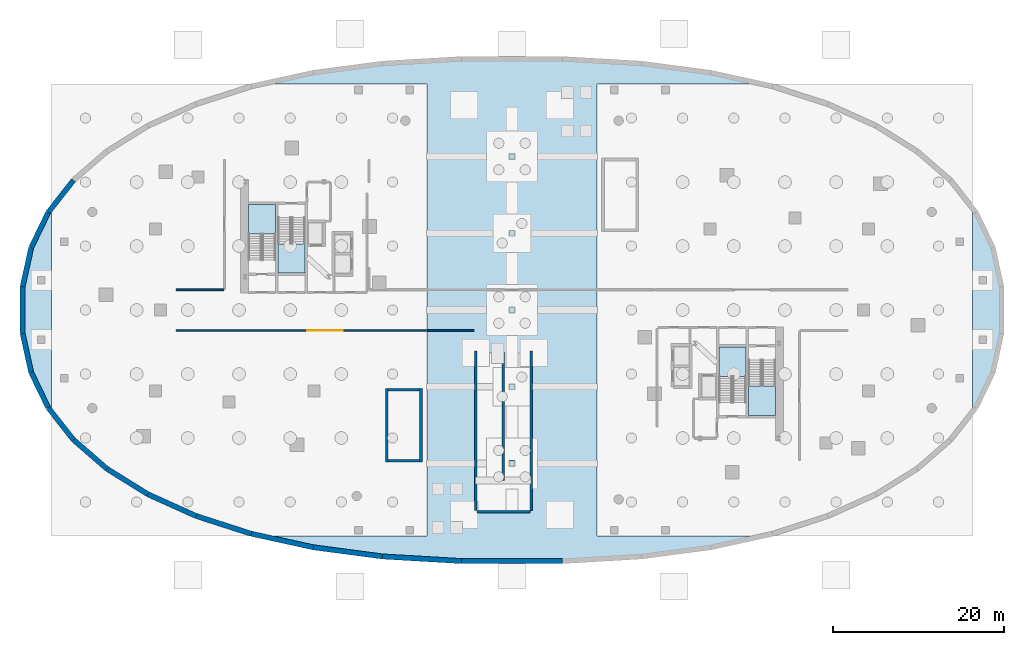
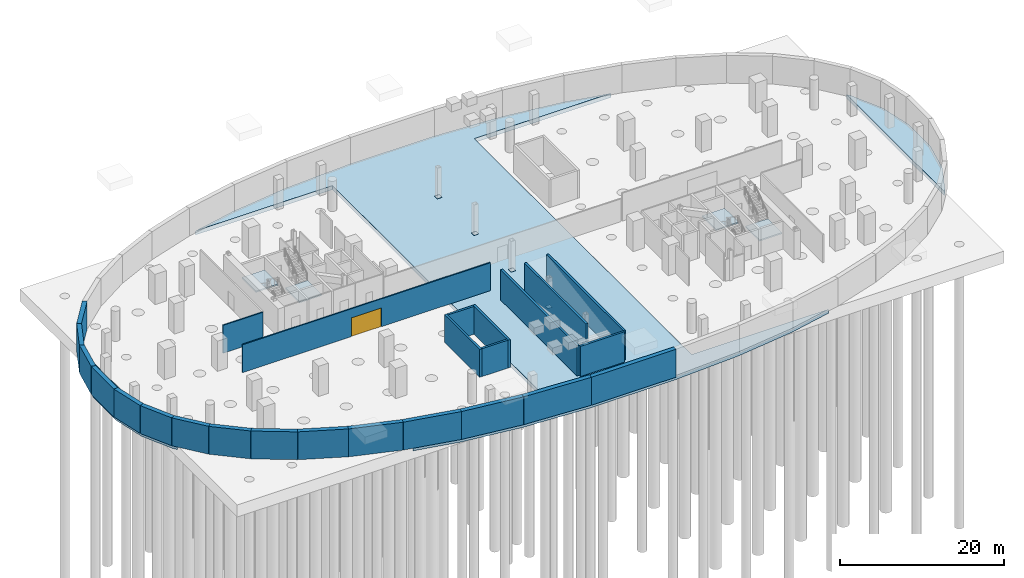
# One storey, part 4 of 10: 25 walls, 7 slabs, 5 plates, 1 door, 1 opening, 4 elements without a shape of their own.
"""IFC4 building model written with IfcOpenShell, lengths in metres."""

from ifc_helpers import new_model, si_unit, direction, frame, frame_2d, origin, origin_2d, place, context, subcontext, project, spatial, polyline, rectangle, outline, extrude, material, layer, layer_set, type_object, element, fill, aggregate, save


model = new_model("IFC4")

# Units and contexts
model_context = context("Model", 3, precision=1e-05, world=origin(), true_north=direction((0.0, 1.0)))
body_context = subcontext(model_context, "Body", "Model", "MODEL_VIEW")
ifc_project = project(units=[si_unit("LENGTHUNIT", "METRE"), si_unit("AREAUNIT", "SQUARE_METRE"), si_unit("VOLUMEUNIT", "CUBIC_METRE"), si_unit("PLANEANGLEUNIT", "RADIAN"), si_unit("MASSUNIT", "GRAM", prefix="KILO"), si_unit("THERMODYNAMICTEMPERATUREUNIT", "KELVIN"), si_unit("POWERUNIT", "WATT")], contexts=[model_context])

# Site, building, storey
site_placement = place(None, origin())
site = spatial("IfcSite", under=ifc_project, at=site_placement, CompositionType="ELEMENT")
building_placement = place(site_placement, origin())
building = spatial("IfcBuilding", under=site, at=building_placement, Name="Cundina Bronze Exchange", CompositionType="ELEMENT")
storey_placement = place(building_placement, frame((0.0, 0.0, -9.0)))
storey = spatial("IfcBuildingStorey", under=building, at=storey_placement, Name="B02", CompositionType="ELEMENT", Elevation=-9.0)

# Plates
ifc_material_1 = material(Name="Steel ASTM A572 Grade 50", Category="steel")
ifc_layer_1 = layer(ifc_material_1, 0.02490234375, Name="Steel ASTM A572 Grade 50", Category="steel")
ifc_layer_set_1 = layer_set([ifc_layer_1], Name="Steel ASTM A572 Grade 50")
plate_type = type_object("IfcPlateType", Name="PLT-CAP-STL25", PredefinedType="USERDEFINED", material=ifc_layer_set_1)
for number, where, z_axis, x_axis, name in (
    (1, (0.0, -18.0, -0.012451171875), (0.0, 0.0, 1.0), (1.0, 0.0, 0.0), "B02 Spine Column Base Plate 01"),
    (2, (0.0, -9.0, -0.012451171875), (0.0, 0.0, 1.0), (1.0, 0.0, 0.0), "B02 Spine Column Base Plate 02"),
    (3, (0.0, 0.0, -0.012451171875), (0.0, 0.0, 1.0), (1.0, 0.0, 0.0), "B02 Spine Column Base Plate 03"),
    (4, (0.0, 9.0, -0.012451171875), (0.0, 0.0, 1.0), (1.0, 0.0, 0.0), "B02 Spine Column Base Plate 04"),
    (5, (0.0, 18.0, -0.012451171875), (0.0, 0.0, 1.0), (1.0, 0.0, 0.0), "B02 Spine Column Base Plate 05"),
):
    element("IfcPlate", number, at=place(storey_placement, frame(where, z_axis=z_axis, x_axis=x_axis)), inside=storey, type_object=plate_type, Name=name, ObjectType="STIFFENER_PLATE", PredefinedType="USERDEFINED", context=body_context, shape_type="SweptSolid", body=[
        extrude(rectangle(XDim=0.679931640625, YDim=0.679931640625, at=origin_2d()), origin(), (0.0, 0.0, 1.0), 0.02490234375),
    ])

# Slabs
ifc_material_2 = material(Name="Concrete C40/50", Category="concrete")
ifc_layer_2 = layer(ifc_material_2, 0.60009765625, Name="Concrete C40/50", Category="concrete")
ifc_layer_set_2 = layer_set([ifc_layer_2], Name="Concrete C40/50")
slab_type_1 = type_object("IfcSlabType", Name="SLB-BASE-600", PredefinedType="BASESLAB", material=ifc_layer_set_2)
slab_1_placement = place(storey_placement, frame((0.0, 0.0, -0.60009765625)))
element("IfcSlab", 6, at=slab_1_placement, inside=storey, type_object=slab_type_1, Name="B02 Concourse Base Slab 1", PredefinedType="BASESLAB", context=body_context, shape_type="SweptSolid", body=[
    extrude(outline(polyline([(-23.281005859375, 27.821044921875), (-15.180908203125, 28.89306640625), (-5.93603515625, 29.431884765625), (5.93603515625, 29.431884765625), (15.180908203125, 28.89306640625), (23.281005859375, 27.821044921875), (29.27490234375, 26.510009765625), (9.989990234375, 26.510009765625), (9.989990234375, -26.510009765625), (29.27490234375, -26.510009765625), (23.281005859375, -27.821044921875), (15.180908203125, -28.89306640625), (5.93603515625, -29.431884765625), (-5.93603515625, -29.431884765625), (-15.180908203125, -28.89306640625), (-23.281005859375, -27.821044921875), (-29.27490234375, -26.510009765625), (-9.989990234375, -26.510009765625), (-9.989990234375, 26.510009765625), (-29.27490234375, 26.510009765625), (-23.281005859375, 27.821044921875)]), holes=[polyline([(-4.1201171875, -4.97998046875), (-1.1298828125, -4.97998046875), (-1.1298828125, -8.0), (-4.1201171875, -8.0), (-4.1201171875, -4.97998046875)])]), origin(), (0.0, 0.0, 1.0), 0.60009765625),
])
slab_2_placement = place(storey_placement, frame((0.0, 0.0, -0.60009765625)))
element("IfcSlab", 7, at=slab_2_placement, inside=storey, type_object=slab_type_1, Name="B02 Concourse Base Slab 2", PredefinedType="BASESLAB", context=body_context, shape_type="SweptSolid", body=[
    extrude(outline(polyline([(54.367919921875, 11.451904296875), (56.367919921875, 7.321044921875), (57.3740234375, 2.739990234375), (57.3740234375, -2.739990234375), (56.367919921875, -7.321044921875), (54.367919921875, -11.451904296875), (54.010009765625, -11.90576171875), (54.010009765625, 11.90576171875), (54.367919921875, 11.451904296875)])), origin(), (0.0, 0.0, 1.0), 0.60009765625),
])
slab_3_placement = place(storey_placement, frame((0.0, 0.0, -0.60009765625)))
element("IfcSlab", 8, at=slab_3_placement, inside=storey, type_object=slab_type_1, Name="B02 Concourse Base Slab 3", PredefinedType="BASESLAB", context=body_context, shape_type="SweptSolid", body=[
    extrude(outline(polyline([(-54.367919921875, -11.451904296875), (-56.367919921875, -7.321044921875), (-57.3740234375, -2.739990234375), (-57.3740234375, 2.739990234375), (-56.367919921875, 7.321044921875), (-54.367919921875, 11.451904296875), (-54.010009765625, 11.90576171875), (-54.010009765625, -11.90576171875), (-54.367919921875, -11.451904296875)])), origin(), (0.0, 0.0, 1.0), 0.60009765625),
])

# Stair, slab
stair_type = type_object("IfcStairType", Name="STR-POD-400", PredefinedType="HALF_TURN_STAIR", material=ifc_material_2)
stair_1_placement = place(storey_placement, origin())
stair_1 = element("IfcStair", 9, at=stair_1_placement, inside=storey, type_object=stair_type, Name="B02 Smokeproof Exit Stair W1", PredefinedType="HALF_TURN_STAIR")
ifc_layer_3 = layer(ifc_material_2, 0.199951171875, Name="Concrete C40/50", Category="concrete")
ifc_layer_set_3 = layer_set([ifc_layer_3], Name="Concrete C40/50")
slab_type_2 = type_object("IfcSlabType", Name="SLB-LND-200", PredefinedType="LANDING", material=ifc_layer_set_3)
slab_4_placement = place(storey_placement, frame((0.0, 0.0, 2.050048828125)))
slab_4 = element("IfcSlab", 10, at=slab_4_placement, type_object=slab_type_2, Name="ST-W1 landing 1", PredefinedType="LANDING", context=body_context, shape_type="SweptSolid", body=[
    extrude(outline(polyline([(-27.739990234375, 8.929931640625), (-27.739990234375, 12.35009765625), (-30.89990234375, 12.35009765625), (-30.89990234375, 8.929931640625), (-27.739990234375, 8.929931640625)])), origin(), (0.0, 0.0, 1.0), 0.199951171875),
])
aggregate(stair_1, [slab_4])

stair_2_placement = place(storey_placement, origin())
stair_2 = element("IfcStair", 11, at=stair_2_placement, inside=storey, type_object=stair_type, Name="B02 Smokeproof Exit Stair W2", PredefinedType="HALF_TURN_STAIR")
slab_5_placement = place(storey_placement, frame((0.0, 0.0, 2.050048828125)))
slab_5 = element("IfcSlab", 12, at=slab_5_placement, type_object=slab_type_2, Name="ST-W2 landing 1", PredefinedType="LANDING", context=body_context, shape_type="SweptSolid", body=[
    extrude(outline(polyline([(-27.43994140625, 7.77001953125), (-27.43994140625, 4.35009765625), (-24.280029296875, 4.35009765625), (-24.280029296875, 7.77001953125), (-27.43994140625, 7.77001953125)])), origin(), (0.0, 0.0, 1.0), 0.199951171875),
])
aggregate(stair_2, [slab_5])

stair_3_placement = place(storey_placement, origin())
stair_3 = element("IfcStair", 13, at=stair_3_placement, inside=storey, type_object=stair_type, Name="B02 Smokeproof Exit Stair E1", PredefinedType="HALF_TURN_STAIR")
slab_6_placement = place(storey_placement, frame((0.0, 0.0, 2.050048828125)))
slab_6 = element("IfcSlab", 14, at=slab_6_placement, type_object=slab_type_2, Name="ST-E1 landing 1", PredefinedType="LANDING", context=body_context, shape_type="SweptSolid", body=[
    extrude(outline(polyline([(27.739990234375, -8.929931640625), (27.739990234375, -12.35009765625), (30.89990234375, -12.35009765625), (30.89990234375, -8.929931640625), (27.739990234375, -8.929931640625)])), origin(), (0.0, 0.0, 1.0), 0.199951171875),
])
aggregate(stair_3, [slab_6])

stair_4_placement = place(storey_placement, origin())
stair_4 = element("IfcStair", 15, at=stair_4_placement, inside=storey, type_object=stair_type, Name="B02 Smokeproof Exit Stair E2", PredefinedType="HALF_TURN_STAIR")
slab_7_placement = place(storey_placement, frame((0.0, 0.0, 2.050048828125)))
slab_7 = element("IfcSlab", 16, at=slab_7_placement, type_object=slab_type_2, Name="ST-E2 landing 1", PredefinedType="LANDING", context=body_context, shape_type="SweptSolid", body=[
    extrude(outline(polyline([(27.43994140625, -7.77001953125), (27.43994140625, -4.35009765625), (24.280029296875, -4.35009765625), (24.280029296875, -7.77001953125), (27.43994140625, -7.77001953125)])), origin(), (0.0, 0.0, 1.0), 0.199951171875),
])
aggregate(stair_4, [slab_7])

# Wall, opening, door
ifc_material_3 = material(Name="Gypsum Fireboard Partition EI120")
ifc_layer_4 = layer(ifc_material_3, 0.179931640625, Name="Gypsum Fireboard Partition EI120")
ifc_layer_set_4 = layer_set([ifc_layer_4], Name="Gypsum Fireboard Partition EI120")
wall_type_1 = type_object("IfcWallType", Name="WL-COR-180", PredefinedType="PARTITIONING", material=ifc_layer_set_4)
wall_1_placement = place(storey_placement, frame((-39.37841796875, -2.3798828125, 0.0), z_axis=(0.0, 0.0, 1.0), x_axis=(1.0, 0.0, 0.0)))
wall_1 = element("IfcWall", 17, at=wall_1_placement, inside=storey, type_object=wall_type_1, Name="B02 Interior Partition 015", PredefinedType="PARTITIONING", context=body_context, shape_type="SweptSolid", body=[
    extrude(rectangle(XDim=34.908447265625, YDim=0.179931640625, at=frame_2d((17.4541015625, 0.0))), origin(), (0.0, 0.0, 1.0), 4.14990234375),
])
opening_placement = place(wall_1_placement, frame((15.354248046875, 0.0, 0.0)))
opening = element("IfcOpeningElement", 18, at=opening_placement, cuts=wall_1, Name="Opening GT-02", PredefinedType="OPENING", context=body_context, shape_type="SweptSolid", body=[
    extrude(rectangle(XDim=4.199951171875, YDim=2.800048828125, at=frame_2d((2.10009765625, 1.39990234375))), frame((0.0, 0.099853515625, 0.0), z_axis=(0.0, -1.0, 0.0), x_axis=(1.0, 0.0, 0.0)), (0.0, 0.0, 1.0), 0.199951171875),
])
ifc_material_4 = material(Name="Steel ASTM A36 Painted", Category="steel")
door_type = type_object("IfcDoorType", Name="DR-GAT-SWG4200", OperationType="NOTDEFINED", PredefinedType="GATE", material=ifc_material_4)
door_placement = place(opening_placement, origin())
door = element("IfcDoor", 19, at=door_placement, inside=storey, type_object=door_type, Name="B02 Interior Door 015", OperationType="SINGLE_SWING_RIGHT", OverallHeight=2.800048828125, OverallWidth=4.199951171875, PredefinedType="GATE", context=body_context, shape_type="SweptSolid", body=[
    extrude(rectangle(XDim=4.199951171875, YDim=2.800048828125, at=frame_2d((2.10009765625, 1.39990234375))), frame((0.0, 0.02490234375, 0.0), z_axis=(0.0, -1.0, 0.0), x_axis=(1.0, 0.0, 0.0)), (0.0, 0.0, 1.0), 0.050048828125),
])
fill(opening, door)

# Walls
wall_2_placement = place(storey_placement, frame((-33.77001953125, 2.3798828125, 0.0), z_axis=(0.0, 0.0, 1.0), x_axis=(-1.0, 0.0, 0.0)))
element("IfcWall", 20, at=wall_2_placement, inside=storey, type_object=wall_type_1, Name="B02 Interior Partition 020", PredefinedType="PARTITIONING", context=body_context, shape_type="SweptSolid", body=[
    extrude(rectangle(XDim=5.6083984375, YDim=0.179931640625, at=frame_2d((2.80419921875, 0.0))), origin(), (0.0, 0.0, 1.0), 4.14990234375),
])
ifc_layer_5 = layer(ifc_material_2, 0.60009765625, Name="Concrete C40/50", Category="concrete")
ifc_layer_set_5 = layer_set([ifc_layer_5], Name="Concrete C40/50")
wall_type_2 = type_object("IfcWallType", Name="WL-RET-600", PredefinedType="USERDEFINED", material=ifc_layer_set_5)
wall_3_placement = place(storey_placement, frame((-51.39697265625, 15.217041015625, 0.0), z_axis=(0.0, 0.0, 1.0), x_axis=(-0.619447864054, -0.785037797637, 0.0)))
element("IfcWall", 21, at=wall_3_placement, inside=storey, type_object=wall_type_2, Name="B02 Perimeter Concrete Retaining Wall 19", ObjectType="RETAININGWALL", PredefinedType="USERDEFINED", context=body_context, shape_type="SweptSolid", body=[
    extrude(rectangle(XDim=4.796142578125, YDim=0.60009765625, at=frame_2d((2.39794921875, 0.0))), origin(), (0.0, 0.0, 1.0), 4.14990234375),
])
wall_4_placement = place(storey_placement, frame((-54.367919921875, 11.451904296875, 0.0), z_axis=(0.0, 0.0, 1.0), x_axis=(-0.435772260249, -0.900056963307, 0.0)))
element("IfcWall", 22, at=wall_4_placement, inside=storey, type_object=wall_type_2, Name="B02 Perimeter Concrete Retaining Wall 20", ObjectType="RETAININGWALL", PredefinedType="USERDEFINED", context=body_context, shape_type="SweptSolid", body=[
    extrude(rectangle(XDim=4.589599609375, YDim=0.60009765625, at=frame_2d((2.294921875, 0.0))), origin(), (0.0, 0.0, 1.0), 4.14990234375),
])
wall_5_placement = place(storey_placement, frame((-56.367919921875, 7.321044921875, 0.0), z_axis=(0.0, 0.0, 1.0), x_axis=(-0.214510247434, -0.976721738135, 0.0)))
element("IfcWall", 23, at=wall_5_placement, inside=storey, type_object=wall_type_2, Name="B02 Perimeter Concrete Retaining Wall 21", ObjectType="RETAININGWALL", PredefinedType="USERDEFINED", context=body_context, shape_type="SweptSolid", body=[
    extrude(rectangle(XDim=4.690185546875, YDim=0.60009765625, at=frame_2d((2.34521484375, 0.0))), origin(), (0.0, 0.0, 1.0), 4.14990234375),
])
wall_6_placement = place(storey_placement, frame((-57.3740234375, 2.739990234375, 0.0), z_axis=(0.0, 0.0, 1.0), x_axis=(0.0, -1.0, 0.0)))
element("IfcWall", 24, at=wall_6_placement, inside=storey, type_object=wall_type_2, Name="B02 Perimeter Concrete Retaining Wall 22", ObjectType="RETAININGWALL", PredefinedType="USERDEFINED", context=body_context, shape_type="SweptSolid", body=[
    extrude(rectangle(XDim=5.47998046875, YDim=0.60009765625, at=frame_2d((2.739990234375, 0.0))), origin(), (0.0, 0.0, 1.0), 4.14990234375),
])
wall_7_placement = place(storey_placement, frame((-57.3740234375, -2.739990234375, 0.0), z_axis=(0.0, 0.0, 1.0), x_axis=(0.214510247434, -0.976721738135, 0.0)))
element("IfcWall", 25, at=wall_7_placement, inside=storey, type_object=wall_type_2, Name="B02 Perimeter Concrete Retaining Wall 23", ObjectType="RETAININGWALL", PredefinedType="USERDEFINED", context=body_context, shape_type="SweptSolid", body=[
    extrude(rectangle(XDim=4.690185546875, YDim=0.60009765625, at=frame_2d((2.34521484375, 0.0))), origin(), (0.0, 0.0, 1.0), 4.14990234375),
])
wall_8_placement = place(storey_placement, frame((-56.367919921875, -7.321044921875, 0.0), z_axis=(0.0, 0.0, 1.0), x_axis=(0.435772260249, -0.900056963307, 0.0)))
element("IfcWall", 26, at=wall_8_placement, inside=storey, type_object=wall_type_2, Name="B02 Perimeter Concrete Retaining Wall 24", ObjectType="RETAININGWALL", PredefinedType="USERDEFINED", context=body_context, shape_type="SweptSolid", body=[
    extrude(rectangle(XDim=4.589599609375, YDim=0.60009765625, at=frame_2d((2.294921875, 0.0))), origin(), (0.0, 0.0, 1.0), 4.14990234375),
])
wall_9_placement = place(storey_placement, frame((-54.367919921875, -11.451904296875, 0.0), z_axis=(0.0, 0.0, 1.0), x_axis=(0.619447864054, -0.785037797637, 0.0)))
element("IfcWall", 27, at=wall_9_placement, inside=storey, type_object=wall_type_2, Name="B02 Perimeter Concrete Retaining Wall 25", ObjectType="RETAININGWALL", PredefinedType="USERDEFINED", context=body_context, shape_type="SweptSolid", body=[
    extrude(rectangle(XDim=4.796142578125, YDim=0.60009765625, at=frame_2d((2.39794921875, 0.0))), origin(), (0.0, 0.0, 1.0), 4.14990234375),
])
wall_10_placement = place(storey_placement, frame((-51.39697265625, -15.217041015625, 0.0), z_axis=(0.0, 0.0, 1.0), x_axis=(0.755564536906, -0.655074217605, 0.0)))
element("IfcWall", 28, at=wall_10_placement, inside=storey, type_object=wall_type_2, Name="B02 Perimeter Concrete Retaining Wall 26", ObjectType="RETAININGWALL", PredefinedType="USERDEFINED", context=body_context, shape_type="SweptSolid", body=[
    extrude(rectangle(XDim=5.1748046875, YDim=0.60009765625, at=frame_2d((2.58740234375, 0.0))), origin(), (0.0, 0.0, 1.0), 4.14990234375),
])
wall_11_placement = place(storey_placement, frame((-47.487060546875, -18.60693359375, 0.0), z_axis=(0.0, 0.0, 1.0), x_axis=(0.849299437699, -0.527911417877, 0.0)))
element("IfcWall", 29, at=wall_11_placement, inside=storey, type_object=wall_type_2, Name="B02 Perimeter Concrete Retaining Wall 27", ObjectType="RETAININGWALL", PredefinedType="USERDEFINED", context=body_context, shape_type="SweptSolid", body=[
    extrude(rectangle(XDim=5.66015625, YDim=0.60009765625, at=frame_2d((2.830078125, 0.0))), origin(), (0.0, 0.0, 1.0), 4.14990234375),
])
wall_12_placement = place(storey_placement, frame((-42.679931640625, -21.594970703125, 0.0), z_axis=(0.0, 0.0, 1.0), x_axis=(0.911643952457, -0.410980904603, 0.0)))
element("IfcWall", 30, at=wall_12_placement, inside=storey, type_object=wall_type_2, Name="B02 Perimeter Concrete Retaining Wall 28", ObjectType="RETAININGWALL", PredefinedType="USERDEFINED", context=body_context, shape_type="SweptSolid", body=[
    extrude(rectangle(XDim=6.20947265625, YDim=0.60009765625, at=frame_2d((3.104736328125, 0.0))), origin(), (0.0, 0.0, 1.0), 4.14990234375),
])
wall_13_placement = place(storey_placement, frame((-37.01904296875, -24.14697265625, 0.0), z_axis=(0.0, 0.0, 1.0), x_axis=(0.951843868052, -0.306583187492, 0.0)))
element("IfcWall", 31, at=wall_13_placement, inside=storey, type_object=wall_type_2, Name="B02 Perimeter Concrete Retaining Wall 29", ObjectType="RETAININGWALL", PredefinedType="USERDEFINED", context=body_context, shape_type="SweptSolid", body=[
    extrude(rectangle(XDim=6.800537109375, YDim=0.60009765625, at=frame_2d((3.400390625, 0.0))), origin(), (0.0, 0.0, 1.0), 4.14990234375),
])
wall_14_placement = place(storey_placement, frame((-30.5458984375, -26.23193359375, 0.0), z_axis=(0.0, 0.0, 1.0), x_axis=(0.976902373216, -0.213686109059, 0.0)))
element("IfcWall", 32, at=wall_14_placement, inside=storey, type_object=wall_type_2, Name="B02 Perimeter Concrete Retaining Wall 30", ObjectType="RETAININGWALL", PredefinedType="USERDEFINED", context=body_context, shape_type="SweptSolid", body=[
    extrude(rectangle(XDim=7.436767578125, YDim=0.60009765625, at=frame_2d((3.71826171875, 0.0))), origin(), (0.0, 0.0, 1.0), 4.14990234375),
])
wall_15_placement = place(storey_placement, frame((-23.281005859375, -27.821044921875, 0.0), z_axis=(0.0, 0.0, 1.0), x_axis=(0.991355566156, -0.131202673187, 0.0)))
element("IfcWall", 33, at=wall_15_placement, inside=storey, type_object=wall_type_2, Name="B02 Perimeter Concrete Retaining Wall 31", ObjectType="RETAININGWALL", PredefinedType="USERDEFINED", context=body_context, shape_type="SweptSolid", body=[
    extrude(rectangle(XDim=8.170654296875, YDim=0.60009765625, at=frame_2d((4.08544921875, 0.0))), origin(), (0.0, 0.0, 1.0), 4.14990234375),
])
wall_16_placement = place(storey_placement, frame((-15.180908203125, -28.89306640625, 0.0), z_axis=(0.0, 0.0, 1.0), x_axis=(0.998305864477, -0.058184198455, 0.0)))
element("IfcWall", 34, at=wall_16_placement, inside=storey, type_object=wall_type_2, Name="B02 Perimeter Concrete Retaining Wall 32", ObjectType="RETAININGWALL", PredefinedType="USERDEFINED", context=body_context, shape_type="SweptSolid", body=[
    extrude(rectangle(XDim=9.260498046875, YDim=0.60009765625, at=frame_2d((4.63037109375, 0.0))), origin(), (0.0, 0.0, 1.0), 4.14990234375),
])
wall_17_placement = place(storey_placement, frame((-5.93603515625, -29.431884765625, 0.0), z_axis=(0.0, 0.0, 1.0), x_axis=(1.0, 0.0, 0.0)))
element("IfcWall", 35, at=wall_17_placement, inside=storey, type_object=wall_type_2, Name="B02 Perimeter Concrete Retaining Wall 33", ObjectType="RETAININGWALL", PredefinedType="USERDEFINED", context=body_context, shape_type="SweptSolid", body=[
    extrude(rectangle(XDim=11.8720703125, YDim=0.60009765625, at=frame_2d((5.93603515625, 0.0))), origin(), (0.0, 0.0, 1.0), 4.14990234375),
])
ifc_material_5 = material(Name="Concrete C50/60", Category="concrete")
ifc_layer_6 = layer(ifc_material_5, 0.300048828125, Name="Concrete C50/60", Category="concrete")
ifc_layer_set_6 = layer_set([ifc_layer_6], Name="Concrete C50/60")
wall_type_3 = type_object("IfcWallType", Name="WL-SHFT-300", PredefinedType="SHEAR", material=ifc_layer_set_6)
for number, where, z_axis, x_axis, name in (
    (36, (-4.25, -23.5, 0.0), (0.0, 0.0, 1.0), (0.0, 1.0, 0.0), "B02 Car Park Ramp West Bearing Wall"),
    (37, (2.25, -23.5, 0.0), (0.0, 0.0, 1.0), (0.0, 1.0, 0.0), "B02 Car Park Ramp East Bearing Wall"),
):
    element("IfcWall", number, at=place(storey_placement, frame(where, z_axis=z_axis, x_axis=x_axis)), inside=storey, type_object=wall_type_3, Name=name, PredefinedType="SHEAR", context=body_context, shape_type="SweptSolid", body=[
        extrude(rectangle(XDim=18.699951171875, YDim=0.300048828125, at=frame_2d((9.35009765625, 0.0))), origin(), (0.0, 0.0, 1.0), 4.5),
    ])
wall_18_placement = place(storey_placement, frame((-4.10009765625, -23.64990234375, 0.0), z_axis=(0.0, 0.0, 1.0), x_axis=(1.0, 0.0, 0.0)))
element("IfcWall", 38, at=wall_18_placement, inside=storey, type_object=wall_type_3, Name="B02 Car Park Ramp South End Wall", PredefinedType="SHEAR", context=body_context, shape_type="SweptSolid", body=[
    extrude(rectangle(XDim=6.2001953125, YDim=0.300048828125, at=frame_2d((3.10009765625, 0.0))), origin(), (0.0, 0.0, 1.0), 4.5),
])
wall_19_placement = place(storey_placement, frame((-1.0, -20.0, 0.0), z_axis=(0.0, 0.0, 1.0), x_axis=(0.0, 1.0, 0.0)))
element("IfcWall", 39, at=wall_19_placement, inside=storey, type_object=wall_type_3, Name="B02 Car Park Ramp Central Dividing Wall", PredefinedType="SHEAR", context=body_context, shape_type="SweptSolid", body=[
    extrude(rectangle(XDim=15.0, YDim=0.300048828125, at=frame_2d((7.5, 0.0))), origin(), (0.0, 0.0, 1.0), 4.5),
])
for number, where, z_axis, x_axis, name in (
    (40, (-14.669921875, -17.800048828125, 0.0), (0.0, 0.0, 1.0), (0.0, 1.0, 0.0), "B02 Concourse Stair W West Shaft Wall"),
    (41, (-10.669921875, -17.800048828125, 0.0), (0.0, 0.0, 1.0), (0.0, 1.0, 0.0), "B02 Concourse Stair W East Shaft Wall"),
):
    element("IfcWall", number, at=place(storey_placement, frame(where, z_axis=z_axis, x_axis=x_axis)), inside=storey, type_object=wall_type_3, Name=name, PredefinedType="SHEAR", context=body_context, shape_type="SweptSolid", body=[
        extrude(rectangle(XDim=8.60009765625, YDim=0.300048828125, at=frame_2d((4.300048828125, 0.0))), origin(), (0.0, 0.0, 1.0), 4.14990234375),
    ])
for number, where, z_axis, x_axis, name in (
    (42, (-14.52001953125, -17.64990234375, 0.0), (0.0, 0.0, 1.0), (1.0, 0.0, 0.0), "B02 Concourse Stair W Landing Wall"),
    (43, (-14.52001953125, -9.35009765625, 0.0), (0.0, 0.0, 1.0), (1.0, 0.0, 0.0), "B02 Concourse Stair W Far Shaft Wall"),
):
    element("IfcWall", number, at=place(storey_placement, frame(where, z_axis=z_axis, x_axis=x_axis)), inside=storey, type_object=wall_type_3, Name=name, PredefinedType="SHEAR", context=body_context, shape_type="SweptSolid", body=[
        extrude(rectangle(XDim=3.699951171875, YDim=0.300048828125, at=frame_2d((1.85009765625, 0.0))), origin(), (0.0, 0.0, 1.0), 4.14990234375),
    ])

save(model, "model.ifc")
